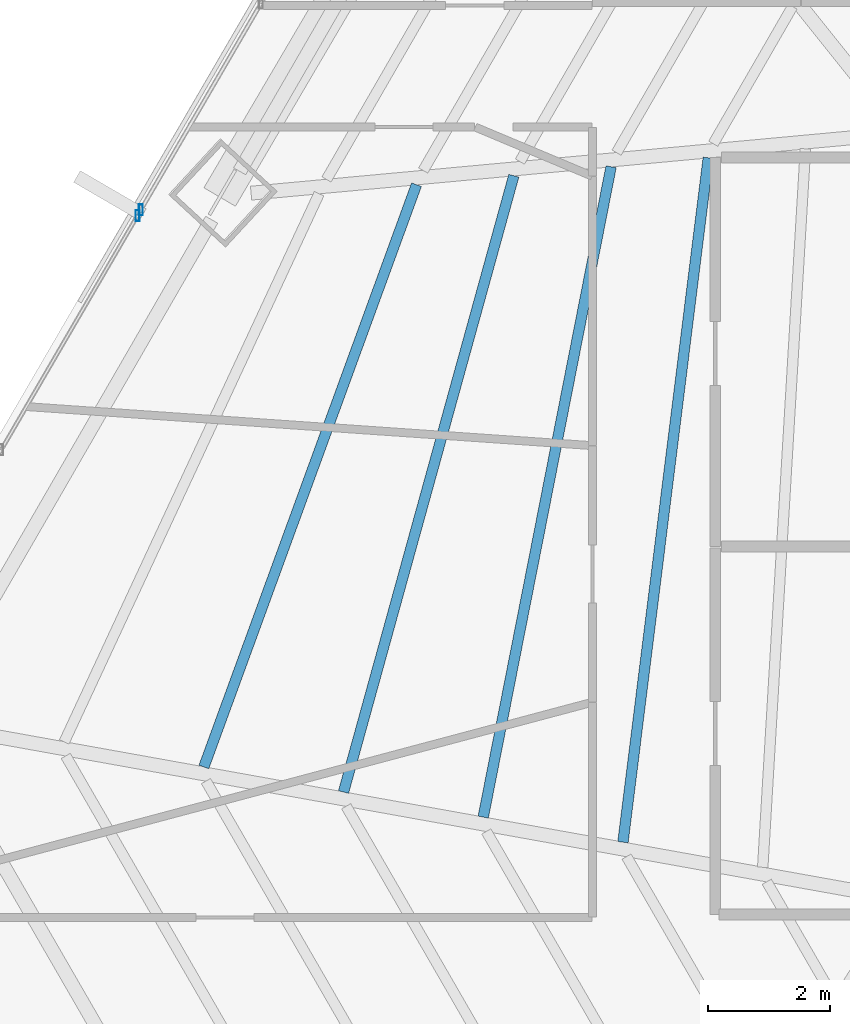
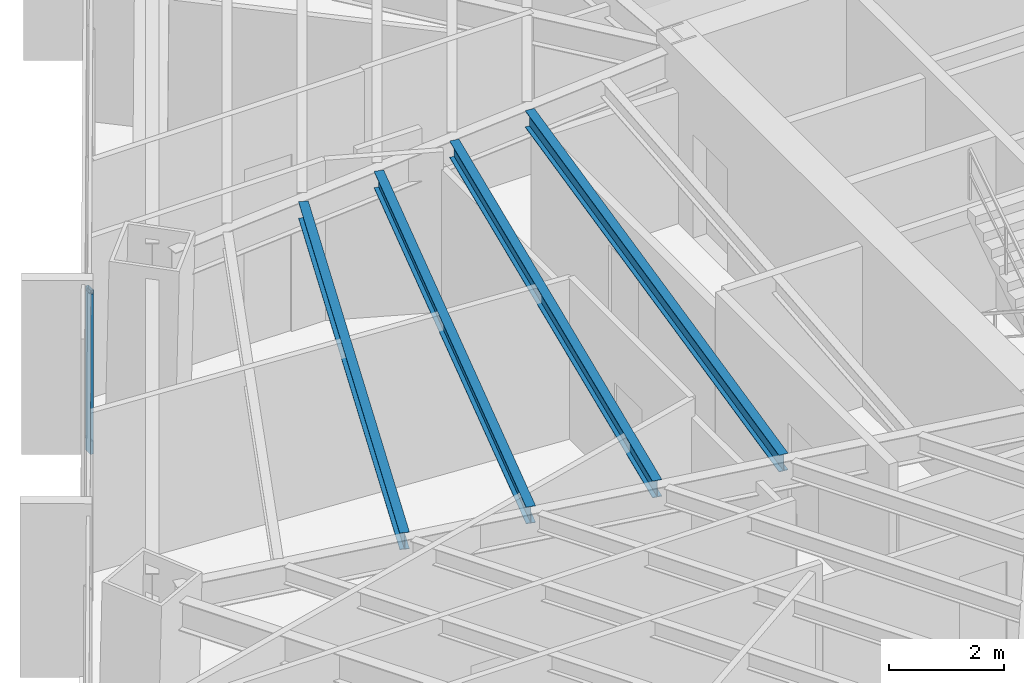
# One storey, part 11 of 35: 4 beams, 2 members, 2 elements without a shape of their own.
"""IFC4 building model written with IfcOpenShell, lengths in metres."""

from ifc_helpers import new_model, si_unit, direction, frame, origin, origin_2d, place, context, subcontext, project, spatial, hollow_rectangle, i_section, extrude, source, transform, mapped, material, material_profile, profile_set, type_object, type_shapes, element, aggregate, save


model = new_model("IFC4")

# Units and contexts
model_context = context("Model", 3, precision=1e-05, world=origin(), true_north=direction((0.0, 1.0)))
body_context = subcontext(model_context, "Body", "Model", "MODEL_VIEW")
ifc_project = project(units=[si_unit("LENGTHUNIT", "METRE"), si_unit("AREAUNIT", "SQUARE_METRE"), si_unit("VOLUMEUNIT", "CUBIC_METRE"), si_unit("PLANEANGLEUNIT", "RADIAN"), si_unit("MASSUNIT", "GRAM", prefix="KILO")], contexts=[model_context])

# Site, building, storey
site_placement = place(None, origin())
site = spatial("IfcSite", under=ifc_project, at=site_placement, CompositionType="ELEMENT")
building_placement = place(site_placement, origin())
building = spatial("IfcBuilding", under=site, at=building_placement, Name="Caelisora Broadcast Tower", CompositionType="ELEMENT")
storey_placement = place(building_placement, frame((0.0, 0.0, 53.14990234375)))
storey = spatial("IfcBuildingStorey", under=building, at=storey_placement, Name="L13", CompositionType="ELEMENT", Elevation=53.14990234375)

# Beams
ifc_material_1 = material(Name="Steel Grade 350 (AS/NZS 3679.1)", Category="steel")
ifc_material_profile_1 = material_profile(ifc_material_1, i_section(OverallWidth=0.172119140625, OverallDepth=0.358642578125, WebThickness=0.008056640625, FlangeThickness=0.012939453125, at=origin_2d()), Name="Steel Grade 350 (AS/NZS 3679.1)")
ifc_profile_set_1 = profile_set([ifc_material_profile_1], Name="Steel Grade 350 (AS/NZS 3679.1)")
beam_type = type_object("IfcBeamType", Name="SB02", PredefinedType="JOIST", material=ifc_profile_set_1)
shared_shape_1 = source(origin(), body_context, "Body", "SweptSolid", [
    extrude(i_section(OverallWidth=0.172119140625, OverallDepth=0.358642578125, WebThickness=0.008056640625, FlangeThickness=0.012939453125, at=origin_2d()), origin(), (0.0, 0.0, 1.0), 11.342529296875),
])
beam_1_placement = place(storey_placement, frame((27.3056640625, 29.59375, 3.220703125), z_axis=(-0.123722128228, -0.9923169025, 0.0), x_axis=(0.9923169025, -0.123722128228, 0.0)))
element("IfcBeam", 1, at=beam_1_placement, inside=storey, type_object=beam_type, Name="L13 beam SB02", PredefinedType="JOIST", context=body_context, shape_type="MappedRepresentation", body=[
    mapped(shared_shape_1, transform((0.0, 0.0, 0.0), scale=1.0)),
])
shared_shape_2 = source(origin(), body_context, "Body", "SweptSolid", [
    extrude(i_section(OverallWidth=0.172119140625, OverallDepth=0.358642578125, WebThickness=0.008056640625, FlangeThickness=0.012939453125, at=origin_2d()), origin(), (0.0, 0.0, 1.0), 10.900146484375),
])
beam_2_placement = place(storey_placement, frame((25.707275390625, 29.4462890625, 3.220703125), z_axis=(-0.192914748174, -0.981215521655, 0.0), x_axis=(0.981215521655, -0.192914748174, 0.0)))
element("IfcBeam", 2, at=beam_2_placement, inside=storey, type_object=beam_type, Name="L13 beam SB02", PredefinedType="JOIST", context=body_context, shape_type="MappedRepresentation", body=[
    mapped(shared_shape_2, transform((0.0, 0.0, 0.0), scale=1.0)),
])
shared_shape_3 = source(origin(), body_context, "Body", "SweptSolid", [
    extrude(i_section(OverallWidth=0.172119140625, OverallDepth=0.358642578125, WebThickness=0.008056640625, FlangeThickness=0.012939453125, at=origin_2d()), origin(), (0.0, 0.0, 1.0), 10.514892578125),
])
beam_3_placement = place(storey_placement, frame((24.107666015625, 29.298583984375, 3.220703125), z_axis=(-0.266341907714, -0.963878616941, 0.0), x_axis=(0.963878616941, -0.266341907714, 0.0)))
element("IfcBeam", 3, at=beam_3_placement, inside=storey, type_object=beam_type, Name="L13 beam SB02", PredefinedType="JOIST", context=body_context, shape_type="MappedRepresentation", body=[
    mapped(shared_shape_3, transform((0.0, 0.0, 0.0), scale=1.0)),
])
shared_shape_4 = source(origin(), body_context, "Body", "SweptSolid", [
    extrude(i_section(OverallWidth=0.172119140625, OverallDepth=0.358642578125, WebThickness=0.008056640625, FlangeThickness=0.012939453125, at=origin_2d()), origin(), (0.0, 0.0, 1.0), 10.193359375),
])
type_shapes(beam_type, [shared_shape_1, shared_shape_2, shared_shape_3, shared_shape_4])
beam_4_placement = place(storey_placement, frame((22.507080078125, 29.15087890625, 3.220703125), z_axis=(-0.343023502195, -0.939326821155, 0.0), x_axis=(0.939326821155, -0.343023502195, 0.0)))
element("IfcBeam", 4, at=beam_4_placement, inside=storey, type_object=beam_type, Name="L13 beam SB02", PredefinedType="JOIST", context=body_context, shape_type="MappedRepresentation", body=[
    mapped(shared_shape_4, transform((0.0, 0.0, 0.0), scale=1.0)),
])

# Curtain wall, member
ifc_material_2 = material(Name="Unitised Aluminium and Low-E Glass Curtain Wall", Category="glass")
curtain_wall_type_1 = type_object("IfcCurtainWallType", Name="CW-Z1", PredefinedType="NOTDEFINED", material=ifc_material_2)
curtain_wall_1_placement = place(storey_placement, origin())
curtain_wall_1 = element("IfcCurtainWall", 5, at=curtain_wall_1_placement, inside=storey, type_object=curtain_wall_type_1, Name="L13 curtain wall CW-Z1", PredefinedType="NOTDEFINED")
ifc_material_3 = material(Name="Aluminium 6063-T6 Anodised Terracotta Bronze", Category="aluminium")
ifc_material_profile_2 = material_profile(ifc_material_3, hollow_rectangle(XDim=0.06494140625, YDim=0.179931640625, WallThickness=0.00341796875, at=origin_2d()), Name="Aluminium 6063-T6 Anodised Terracotta Bronze")
ifc_profile_set_2 = profile_set([ifc_material_profile_2], Name="Aluminium 6063-T6 Anodised Terracotta Bronze")
member_type = type_object("IfcMemberType", Name="CWM-02", PredefinedType="MULLION", material=ifc_profile_set_2)
shared_shape_5 = source(origin(), body_context, "Body", "SweptSolid", [
    extrude(hollow_rectangle(XDim=0.06494140625, YDim=0.179931640625, WallThickness=0.00341796875, at=origin_2d()), origin(), (0.0, 0.0, 1.0), 3.400146484375),
])
type_shapes(member_type, [shared_shape_5])
member_1_placement = place(storey_placement, frame((17.919921875, 28.643310546875, 0.0), z_axis=(0.0, 0.0, 1.0), x_axis=(1.0, 0.0, 0.0)))
member_1 = element("IfcMember", 6, at=member_1_placement, type_object=member_type, Name="L13-CW-B09 mullion #3", PredefinedType="MULLION", context=body_context, shape_type="MappedRepresentation", body=[
    mapped(shared_shape_5, transform((0.0, 0.0, 0.0), scale=1.0)),
])
aggregate(curtain_wall_1, [member_1])

ifc_material_4 = material(Name="Unitised Aluminium Insulated Shadow-Box Spandrel Curtain Wall", Category="aluminium")
curtain_wall_type_2 = type_object("IfcCurtainWallType", Name="CW-SP1", PredefinedType="NOTDEFINED", material=ifc_material_4)
curtain_wall_2_placement = place(storey_placement, origin())
curtain_wall_2 = element("IfcCurtainWall", 7, at=curtain_wall_2_placement, inside=storey, type_object=curtain_wall_type_2, Name="L13 curtain wall CW-SP1", PredefinedType="NOTDEFINED")
member_2_placement = place(storey_placement, frame((17.975341796875, 28.73828125, 0.0), z_axis=(0.0, 0.0, 1.0), x_axis=(1.0, 0.0, 0.0)))
member_2 = element("IfcMember", 8, at=member_2_placement, type_object=member_type, Name="L13-CW-B10 mullion #0", PredefinedType="MULLION", context=body_context, shape_type="MappedRepresentation", body=[
    mapped(shared_shape_5, transform((0.0, 0.0, 0.0), scale=1.0)),
])
aggregate(curtain_wall_2, [member_2])

save(model, "model.ifc")
